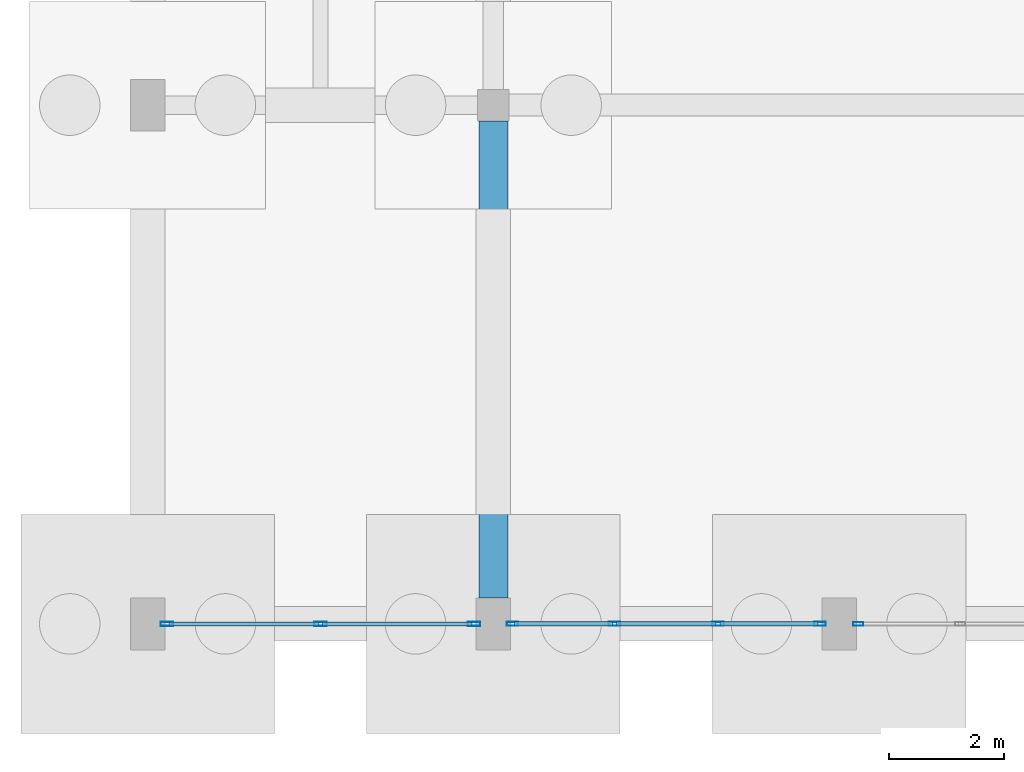
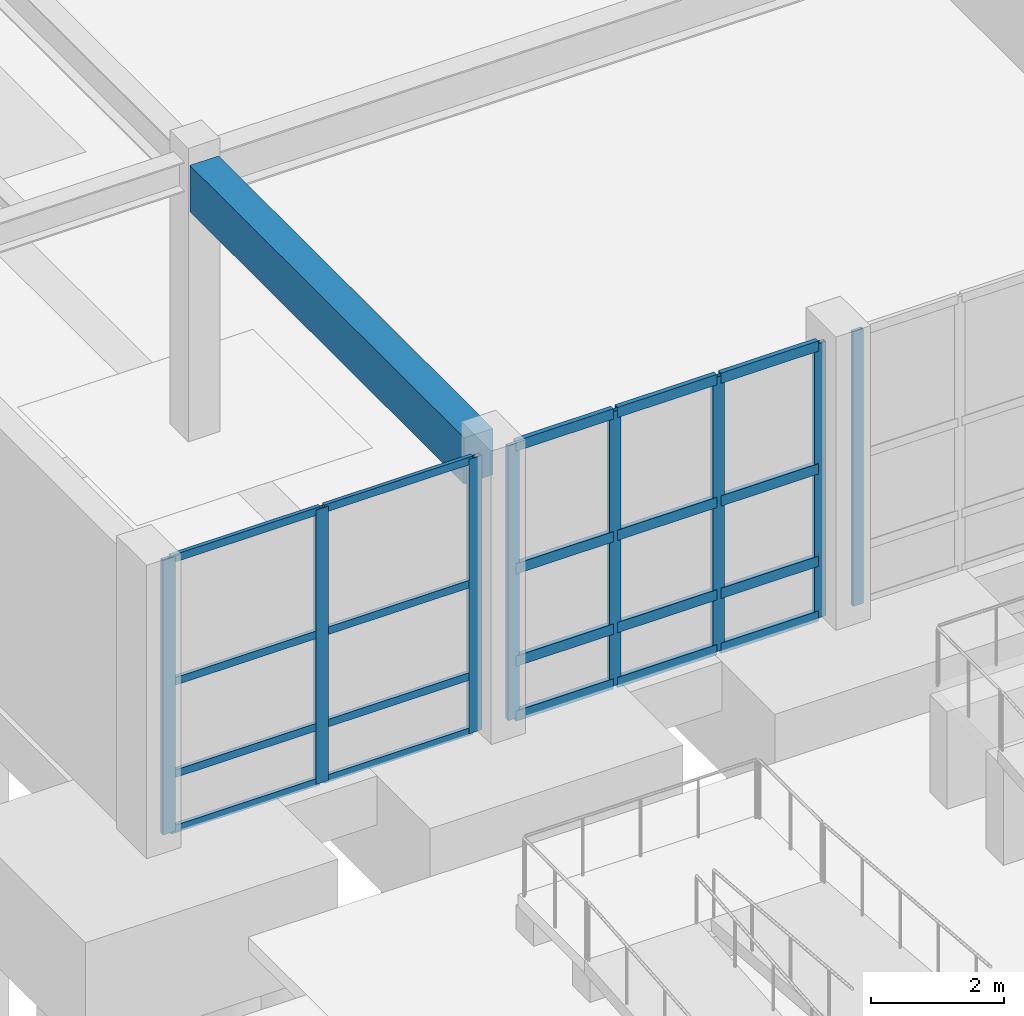
# One storey, part 21 of 69: 28 members, 1 beam, 3 elements without a shape of their own.
"""IFC4 building model written with IfcOpenShell, lengths in metres."""

import ifcopenshell
import ifcopenshell.guid

model = None  # the IFC model being written
_history = None  # IfcOwnerHistory: only IFC2X3 demands one
_inside = {}  # id of a spatial element -> (the spatial element, [elements in it])
_under = {}  # id of a project, library or spatial element -> (it, [spatial elements below it])
_declared = {}  # id of a project -> (the project, [libraries it declares])
_typed = {}  # id of a type object -> (the type object, [elements of that type])
_made_of = {}  # id of a material, layer set ... -> (it, [elements and type objects made of it])


def new_model(schema):
    """Start an empty IFC model of exactly this schema.

    Asked for "IFC4X3", IfcOpenShell would pick the latest addendum, in which some entities
    have other attributes; the version numbers below select the first issue.
    IFC2X3 requires an IfcOwnerHistory on every rooted entity: one is made here for all.
    """
    global model, _history
    if schema == "IFC4X3":
        model = ifcopenshell.file(schema_version=(4, 3, 0, 0))
    else:
        model = ifcopenshell.file(schema=schema)
    _inside.clear()
    _under.clear()
    _declared.clear()
    _typed.clear()
    _made_of.clear()
    _history = None
    if model.schema == "IFC2X3":
        org = make("IfcOrganization", Name="unknown")
        user = make(
            "IfcPersonAndOrganization",
            ThePerson=make("IfcPerson", FamilyName="unknown"),
            TheOrganization=org,
        )
        app = make(
            "IfcApplication",
            ApplicationDeveloper=org,
            Version="unknown",
            ApplicationFullName="unknown",
            ApplicationIdentifier="unknown",
        )
        _history = make(
            "IfcOwnerHistory",
            OwningUser=user,
            OwningApplication=app,
            ChangeAction="ADDED",
            CreationDate=0,
        )
    return model


def make(cls, **values):
    """One entity of the class cls with the attributes given. An attribute that is None is left unset."""
    return model.create_entity(
        cls, **{name: value for name, value in values.items() if value is not None}
    )


def rooted(cls, **values):
    """An entity with a GlobalId (a new one), such as an element, a storey or a relation."""
    return make(cls, GlobalId=ifcopenshell.guid.new(), OwnerHistory=_history, **values)


def si_unit(unit_type, name, prefix=None):
    """IfcSIUnit, for example si_unit("LENGTHUNIT", "METRE", prefix="MILLI")."""
    return make("IfcSIUnit", UnitType=unit_type, Prefix=prefix, Name=name)


def assignment(units):
    """IfcUnitAssignment: the units of a project."""
    return None if units is None else make("IfcUnitAssignment", Units=units)


def point(xyz):
    """IfcCartesianPoint."""
    return None if xyz is None else make("IfcCartesianPoint", Coordinates=xyz)


def direction(xyz):
    """IfcDirection."""
    return None if xyz is None else make("IfcDirection", DirectionRatios=xyz)


def frame(location, z_axis=None, x_axis=None):
    """IfcAxis2Placement3D, a coordinate frame: its origin and axes. An axis left out is left unset."""
    return make(
        "IfcAxis2Placement3D",
        Location=point(location),
        Axis=direction(z_axis),
        RefDirection=direction(x_axis),
    )


def frame_2d(location, x_axis=None):
    """IfcAxis2Placement2D, a coordinate frame in the plane: its origin and x axis."""
    return make(
        "IfcAxis2Placement2D", Location=point(location), RefDirection=direction(x_axis)
    )


def origin():
    """The frame at (0, 0, 0) with its axes left unset."""
    return frame((0.0, 0.0, 0.0))


def origin_2d():
    """The frame at (0, 0) in the plane with its x axis left unset."""
    return frame_2d((0.0, 0.0))


def place(relative_to, where):
    """IfcLocalPlacement: puts the frame where relative to a parent placement (None: the world)."""
    return make(
        "IfcLocalPlacement", PlacementRelTo=relative_to, RelativePlacement=where
    )


def context(
    kind, dimensions, precision=None, world=None, true_north=None, identifier=None
):
    """IfcGeometricRepresentationContext, for example the 3D "Model" context."""
    return make(
        "IfcGeometricRepresentationContext",
        ContextIdentifier=identifier,
        ContextType=kind,
        CoordinateSpaceDimension=dimensions,
        Precision=precision,
        WorldCoordinateSystem=world,
        TrueNorth=true_north,
    )


def subcontext(parent, identifier, kind, view, scale=None):
    """IfcGeometricRepresentationSubContext, for example "Body" below "Model"."""
    return make(
        "IfcGeometricRepresentationSubContext",
        ContextIdentifier=identifier,
        ContextType=kind,
        ParentContext=parent,
        TargetScale=scale,
        TargetView=view,
    )


def project(units=None, contexts=None):
    """IfcProject with its units and contexts."""
    return rooted(
        "IfcProject",
        Name="project",
        RepresentationContexts=contexts,
        UnitsInContext=assignment(units),
    )


def spatial(cls, under=None, at=None, **own):
    """A site, building, storey or space (cls), placed at a placement, below another one or the project."""
    s = rooted(cls, ObjectPlacement=at, **own)
    if under is not None:
        _under.setdefault(under.id(), (under, []))[1].append(s)
    return s


def profile(cls, at=None, kind="AREA", **sizes):
    """A parametric profile (cls). Its sizes go by their IFC names, for example OverallWidth=200.0."""
    return make(cls, ProfileType=kind, Position=at, **sizes)


def rectangle(**sizes):
    """IfcRectangleProfileDef."""
    return profile("IfcRectangleProfileDef", **sizes)


def hollow_rectangle(**sizes):
    """IfcRectangleHollowProfileDef."""
    return profile("IfcRectangleHollowProfileDef", **sizes)


def extrude(swept, where, along, depth):
    """IfcExtrudedAreaSolid: the profile swept, set in the frame where, extruded along a direction by depth."""
    return make(
        "IfcExtrudedAreaSolid",
        SweptArea=swept,
        Position=where,
        ExtrudedDirection=direction(along),
        Depth=depth,
    )


def shape(context_of_items, identifier, shape_type, items):
    """IfcShapeRepresentation: the items that make up one representation, for example the "Body"."""
    return make(
        "IfcShapeRepresentation",
        ContextOfItems=context_of_items,
        RepresentationIdentifier=identifier,
        RepresentationType=shape_type,
        Items=items,
    )


def material(Name=None, Category=None):
    """IfcMaterial."""
    return make("IfcMaterial", Name=Name, Category=Category)


def layer(
    of_material, thickness, ventilated=None, Name=None, Category=None, Priority=None
):
    """IfcMaterialLayer: one layer of a wall or slab, of a material (None: an air gap)."""
    return make(
        "IfcMaterialLayer",
        Material=of_material,
        LayerThickness=thickness,
        IsVentilated=ventilated,
        Name=Name,
        Category=Category,
        Priority=Priority,
    )


def layer_set(layers, Name=None):
    """IfcMaterialLayerSet."""
    return make("IfcMaterialLayerSet", MaterialLayers=layers, LayerSetName=Name)


def material_profile(
    of_material, cross_section, Name=None, Category=None, Priority=None
):
    """IfcMaterialProfile: a cross section and its material."""
    return make(
        "IfcMaterialProfile",
        Name=Name,
        Material=of_material,
        Profile=cross_section,
        Priority=Priority,
        Category=Category,
    )


def profile_set(profiles, Name=None, composite=None):
    """IfcMaterialProfileSet."""
    return make(
        "IfcMaterialProfileSet",
        Name=Name,
        MaterialProfiles=profiles,
        CompositeProfile=composite,
    )


def made_of(thing, what):
    """Note that an element or type object is made of a material, layer set ...; save() writes the relation."""
    if what is not None:
        _made_of.setdefault(what.id(), (what, []))[1].append(thing)
    return thing


def type_object(cls, material=None, **own):
    """A type object (cls), such as IfcWallType, which elements share."""
    return made_of(rooted(cls, **own), material)


def element(
    cls,
    number,
    at=None,
    inside=None,
    cuts=None,
    type_object=None,
    material=None,
    context=None,
    identifier="Body",
    shape_type=None,
    held_by="IfcProductDefinitionShape",
    body=None,
    shapes=None,
    **own,
):
    """One element of the class cls, such as IfcWall. Its Tag is "e" and its number.

    at: its placement. inside: the storey or other place that contains it. cuts: it is an
    opening in that element (IfcRelVoidsElement). A single representation is given by context,
    identifier, shape_type and body (its items); several are given by shapes. held_by: the class
    of the entity that holds the representations. save() writes the other relations.
    """
    e = rooted(cls, Tag="e%d" % number, ObjectPlacement=at, **own)
    if body is not None:
        shapes = [shape(context, identifier, shape_type, body)]
    if shapes is not None:
        e.Representation = make(held_by, Representations=shapes)
    if inside is not None:
        _inside.setdefault(inside.id(), (inside, []))[1].append(e)
    if cuts is not None:
        rooted(
            "IfcRelVoidsElement", RelatingBuildingElement=cuts, RelatedOpeningElement=e
        )
    if type_object is not None:
        _typed.setdefault(type_object.id(), (type_object, []))[1].append(e)
    return made_of(e, material)


def aggregate(whole, parts):
    """IfcRelAggregates: a whole, such as a stair, and the parts it consists of."""
    return rooted("IfcRelAggregates", RelatingObject=whole, RelatedObjects=parts)


def save(model, path):
    """Write the relations noted so far, then the file.

    IfcRelAggregates (storeys below a building ...), IfcRelContainedInSpatialStructure (elements
    in a storey), IfcRelDefinesByType, IfcRelAssociatesMaterial and IfcRelDeclares: one each for
    every whole, place, type object, material and project.
    """
    for whole, parts in _under.values():
        aggregate(whole, parts)
    for where, things in _inside.values():
        rooted(
            "IfcRelContainedInSpatialStructure",
            RelatedElements=things,
            RelatingStructure=where,
        )
    for kind, things in _typed.values():
        rooted("IfcRelDefinesByType", RelatedObjects=things, RelatingType=kind)
    for what, things in _made_of.values():
        rooted("IfcRelAssociatesMaterial", RelatedObjects=things, RelatingMaterial=what)
    for by, libraries in _declared.values():
        rooted("IfcRelDeclares", RelatingContext=by, RelatedDefinitions=libraries)
    model.write(path)


model = new_model("IFC4")

# Units and contexts
model_context = context("Model", 3, precision=1e-05, world=origin(), true_north=direction((0.0, 1.0)))
body_context = subcontext(model_context, "Body", "Model", "MODEL_VIEW")
ifc_project = project(units=[si_unit("LENGTHUNIT", "METRE"), si_unit("AREAUNIT", "SQUARE_METRE"), si_unit("VOLUMEUNIT", "CUBIC_METRE"), si_unit("PLANEANGLEUNIT", "RADIAN"), si_unit("MASSUNIT", "GRAM", prefix="KILO")], contexts=[model_context])

# Site, building, storey
site_placement = place(None, origin())
site = spatial("IfcSite", under=ifc_project, at=site_placement, CompositionType="ELEMENT")
building_placement = place(site_placement, origin())
building = spatial("IfcBuilding", under=site, at=building_placement, Name="Vaelkrest Opera House", CompositionType="ELEMENT")
storey_placement = place(building_placement, frame((0.0, 0.0, -5.39990234375)))
storey = spatial("IfcBuildingStorey", under=building, at=storey_placement, Name="B1", CompositionType="ELEMENT", Elevation=-5.39990234375)

# Beam
ifc_material_1 = material(Name="Concrete C50/60", Category="concrete")
ifc_material_profile_1 = material_profile(ifc_material_1, rectangle(XDim=0.5, YDim=0.85009765625, at=origin_2d()), Name="RCB500X850")
ifc_profile_set_1 = profile_set([ifc_material_profile_1], Name="Concrete C50/60")
beam_type = type_object("IfcBeamType", Name="B03", PredefinedType="BEAM", material=ifc_profile_set_1)
beam_placement = place(storey_placement, frame((-69.60009765625, -16.35009765625, 4.65478515625), z_axis=(0.0, 1.0, 0.0), x_axis=(-1.0, 0.0, 0.0)))
element("IfcBeam", 1, at=beam_placement, inside=storey, type_object=beam_type, Name="Beam BM-V3-B1-1320", PredefinedType="BEAM", context=body_context, shape_type="SweptSolid", body=[
    extrude(rectangle(XDim=0.5, YDim=0.85009765625, at=origin_2d()), origin(), (0.0, 0.0, 1.0), 8.275146484375),
])

# Curtain wall, member
ifc_material_2 = material(Name="Dark bronze anodized aluminium", Category="aluminium")
ifc_layer_1 = layer(ifc_material_2, 0.219970703125)
ifc_layer_set_1 = layer_set([ifc_layer_1], Name="Dark bronze anodized aluminium")
curtain_wall_type_1 = type_object("IfcCurtainWallType", Name="CW05", PredefinedType="NOTDEFINED", material=ifc_layer_set_1)
curtain_wall_1_placement = place(storey_placement, origin())
curtain_wall_1 = element("IfcCurtainWall", 2, at=curtain_wall_1_placement, inside=storey, type_object=curtain_wall_type_1, Name="Curtain wall CW-B1-085", PredefinedType="NOTDEFINED")
ifc_material_profile_2 = material_profile(ifc_material_2, hollow_rectangle(XDim=0.06494140625, YDim=0.179931640625, WallThickness=0.00390625, at=origin_2d()), Name="CWM65X180")
ifc_profile_set_2 = profile_set([ifc_material_profile_2], Name="Dark bronze anodized aluminium")
member_type_1 = type_object("IfcMemberType", Name="CWM01", PredefinedType="MULLION", material=ifc_profile_set_2)
member_1_placement = place(storey_placement, frame((-63.26953125, -16.800048828125, 0.0), z_axis=(0.0, 0.0, 1.0), x_axis=(0.0, -1.0, 0.0)))
member_1 = element("IfcMember", 3, at=member_1_placement, type_object=member_type_1, Name="CW05 mullion 4", PredefinedType="MULLION", context=body_context, shape_type="SweptSolid", body=[
    extrude(hollow_rectangle(XDim=0.06494140625, YDim=0.179931640625, WallThickness=0.00390625, at=origin_2d()), origin(), (0.0, 0.0, 1.0), 5.0498046875),
])
aggregate(curtain_wall_1, [member_1])

# Curtain wall, members
ifc_layer_2 = layer(ifc_material_2, 0.22998046875)
ifc_layer_set_2 = layer_set([ifc_layer_2], Name="Dark bronze anodized aluminium")
curtain_wall_type_2 = type_object("IfcCurtainWallType", Name="CW06", PredefinedType="NOTDEFINED", material=ifc_layer_set_2)
curtain_wall_2_placement = place(storey_placement, origin())
curtain_wall_2 = element("IfcCurtainWall", 4, at=curtain_wall_2_placement, inside=storey, type_object=curtain_wall_type_2, Name="Curtain wall CW-B1-086", PredefinedType="NOTDEFINED")
ifc_material_profile_3 = material_profile(ifc_material_2, hollow_rectangle(XDim=0.070068359375, YDim=0.199951171875, WallThickness=0.004150390625, at=origin_2d()), Name="CWM70X200")
ifc_profile_set_3 = profile_set([ifc_material_profile_3], Name="Dark bronze anodized aluminium")
member_type_2 = type_object("IfcMemberType", Name="CWM02", PredefinedType="MULLION", material=ifc_profile_set_3)
member_2_placement = place(storey_placement, frame((-63.93310546875, -16.800048828125, 0.0), z_axis=(0.0, 0.0, 1.0), x_axis=(0.0, -1.0, 0.0)))
member_2 = element("IfcMember", 5, at=member_2_placement, type_object=member_type_2, Name="CW06 mullion 1", PredefinedType="MULLION", context=body_context, shape_type="SweptSolid", body=[
    extrude(hollow_rectangle(XDim=0.070068359375, YDim=0.199951171875, WallThickness=0.004150390625, at=origin_2d()), origin(), (0.0, 0.0, 1.0), 5.0498046875),
])
member_3_placement = place(storey_placement, frame((-65.69921875, -16.800048828125, 0.0), z_axis=(0.0, 0.0, 1.0), x_axis=(0.0, -1.0, 0.0)))
member_3 = element("IfcMember", 6, at=member_3_placement, type_object=member_type_2, Name="CW06 mullion 2", PredefinedType="MULLION", context=body_context, shape_type="SweptSolid", body=[
    extrude(hollow_rectangle(XDim=0.070068359375, YDim=0.199951171875, WallThickness=0.004150390625, at=origin_2d()), origin(), (0.0, 0.0, 1.0), 5.0498046875),
])
member_4_placement = place(storey_placement, frame((-67.500732421875, -16.800048828125, 0.0), z_axis=(0.0, 0.0, 1.0), x_axis=(0.0, -1.0, 0.0)))
member_4 = element("IfcMember", 7, at=member_4_placement, type_object=member_type_2, Name="CW06 mullion 3", PredefinedType="MULLION", context=body_context, shape_type="SweptSolid", body=[
    extrude(hollow_rectangle(XDim=0.070068359375, YDim=0.199951171875, WallThickness=0.004150390625, at=origin_2d()), origin(), (0.0, 0.0, 1.0), 5.0498046875),
])
member_5_placement = place(storey_placement, frame((-69.26708984375, -16.800048828125, 0.0), z_axis=(0.0, 0.0, 1.0), x_axis=(0.0, -1.0, 0.0)))
member_5 = element("IfcMember", 8, at=member_5_placement, type_object=member_type_2, Name="CW06 mullion 4", PredefinedType="MULLION", context=body_context, shape_type="SweptSolid", body=[
    extrude(hollow_rectangle(XDim=0.070068359375, YDim=0.199951171875, WallThickness=0.004150390625, at=origin_2d()), origin(), (0.0, 0.0, 1.0), 5.0498046875),
])

ifc_layer_3 = layer(ifc_material_2, 0.239990234375)
ifc_layer_set_3 = layer_set([ifc_layer_3], Name="Dark bronze anodized aluminium")
curtain_wall_type_3 = type_object("IfcCurtainWallType", Name="CW07", PredefinedType="NOTDEFINED", material=ifc_layer_set_3)
curtain_wall_3_placement = place(storey_placement, origin())
curtain_wall_3 = element("IfcCurtainWall", 9, at=curtain_wall_3_placement, inside=storey, type_object=curtain_wall_type_3, Name="Curtain wall CW-B1-087", PredefinedType="NOTDEFINED")
ifc_material_profile_4 = material_profile(ifc_material_2, hollow_rectangle(XDim=0.074951171875, YDim=0.219970703125, WallThickness=0.00439453125, at=origin_2d()), Name="CWM75X220")
ifc_profile_set_4 = profile_set([ifc_material_profile_4], Name="Dark bronze anodized aluminium")
member_type_3 = type_object("IfcMemberType", Name="CWM03", PredefinedType="MULLION", material=ifc_profile_set_4)
member_6_placement = place(storey_placement, frame((-69.935546875, -16.800048828125, 0.0), z_axis=(0.0, 0.0, 1.0), x_axis=(0.0, -1.0, 0.0)))
member_6 = element("IfcMember", 10, at=member_6_placement, type_object=member_type_3, Name="CW07 mullion 1", PredefinedType="MULLION", context=body_context, shape_type="SweptSolid", body=[
    extrude(hollow_rectangle(XDim=0.074951171875, YDim=0.219970703125, WallThickness=0.00439453125, at=origin_2d()), origin(), (0.0, 0.0, 1.0), 5.0498046875),
])
member_7_placement = place(storey_placement, frame((-72.60009765625, -16.800048828125, 0.0), z_axis=(0.0, 0.0, 1.0), x_axis=(0.0, -1.0, 0.0)))
member_7 = element("IfcMember", 11, at=member_7_placement, type_object=member_type_3, Name="CW07 mullion 2", PredefinedType="MULLION", context=body_context, shape_type="SweptSolid", body=[
    extrude(hollow_rectangle(XDim=0.074951171875, YDim=0.219970703125, WallThickness=0.00439453125, at=origin_2d()), origin(), (0.0, 0.0, 1.0), 5.0498046875),
])
member_8_placement = place(storey_placement, frame((-75.264404296875, -16.800048828125, 0.0), z_axis=(0.0, 0.0, 1.0), x_axis=(0.0, -1.0, 0.0)))
member_8 = element("IfcMember", 12, at=member_8_placement, type_object=member_type_3, Name="CW07 mullion 3", PredefinedType="MULLION", context=body_context, shape_type="SweptSolid", body=[
    extrude(hollow_rectangle(XDim=0.074951171875, YDim=0.219970703125, WallThickness=0.00439453125, at=origin_2d()), origin(), (0.0, 0.0, 1.0), 5.0498046875),
])
ifc_material_profile_5 = material_profile(ifc_material_2, hollow_rectangle(XDim=0.06494140625, YDim=0.139892578125, WallThickness=0.00390625, at=origin_2d()), Name="CWT65X140")
ifc_profile_set_5 = profile_set([ifc_material_profile_5], Name="Dark bronze anodized aluminium")
member_type_4 = type_object("IfcMemberType", Name="CWT01", PredefinedType="USERDEFINED", material=ifc_profile_set_5)
member_9_placement = place(storey_placement, frame((-69.972900390625, -16.800048828125, 0.032470703125), z_axis=(-1.0, 0.0, 0.0), x_axis=(0.0, -1.0, 0.0)))
member_9 = element("IfcMember", 13, at=member_9_placement, type_object=member_type_4, Name="CW07 transom 1.1", ObjectType="TRANSOM", PredefinedType="USERDEFINED", context=body_context, shape_type="SweptSolid", body=[
    extrude(hollow_rectangle(XDim=0.06494140625, YDim=0.139892578125, WallThickness=0.00390625, at=origin_2d()), origin(), (0.0, 0.0, 1.0), 2.589599609375),
])
member_10_placement = place(storey_placement, frame((-69.972900390625, -16.800048828125, 1.0498046875), z_axis=(-1.0, 0.0, 0.0), x_axis=(0.0, -1.0, 0.0)))
member_10 = element("IfcMember", 14, at=member_10_placement, type_object=member_type_4, Name="CW07 transom 1.2", ObjectType="TRANSOM", PredefinedType="USERDEFINED", context=body_context, shape_type="SweptSolid", body=[
    extrude(hollow_rectangle(XDim=0.06494140625, YDim=0.139892578125, WallThickness=0.00390625, at=origin_2d()), origin(), (0.0, 0.0, 1.0), 2.589599609375),
])
member_11_placement = place(storey_placement, frame((-69.972900390625, -16.800048828125, 2.75), z_axis=(-1.0, 0.0, 0.0), x_axis=(0.0, -1.0, 0.0)))
member_11 = element("IfcMember", 15, at=member_11_placement, type_object=member_type_4, Name="CW07 transom 1.3", ObjectType="TRANSOM", PredefinedType="USERDEFINED", context=body_context, shape_type="SweptSolid", body=[
    extrude(hollow_rectangle(XDim=0.06494140625, YDim=0.139892578125, WallThickness=0.00390625, at=origin_2d()), origin(), (0.0, 0.0, 1.0), 2.589599609375),
])
member_12_placement = place(storey_placement, frame((-69.972900390625, -16.800048828125, 5.017333984375), z_axis=(-1.0, 0.0, 0.0), x_axis=(0.0, -1.0, 0.0)))
member_12 = element("IfcMember", 16, at=member_12_placement, type_object=member_type_4, Name="CW07 transom 1.4", ObjectType="TRANSOM", PredefinedType="USERDEFINED", context=body_context, shape_type="SweptSolid", body=[
    extrude(hollow_rectangle(XDim=0.06494140625, YDim=0.139892578125, WallThickness=0.00390625, at=origin_2d()), origin(), (0.0, 0.0, 1.0), 2.589599609375),
])
member_13_placement = place(storey_placement, frame((-72.637451171875, -16.800048828125, 0.032470703125), z_axis=(-1.0, 0.0, 0.0), x_axis=(0.0, -1.0, 0.0)))
member_13 = element("IfcMember", 17, at=member_13_placement, type_object=member_type_4, Name="CW07 transom 2.1", ObjectType="TRANSOM", PredefinedType="USERDEFINED", context=body_context, shape_type="SweptSolid", body=[
    extrude(hollow_rectangle(XDim=0.06494140625, YDim=0.139892578125, WallThickness=0.00390625, at=origin_2d()), origin(), (0.0, 0.0, 1.0), 2.589599609375),
])
member_14_placement = place(storey_placement, frame((-72.637451171875, -16.800048828125, 1.0498046875), z_axis=(-1.0, 0.0, 0.0), x_axis=(0.0, -1.0, 0.0)))
member_14 = element("IfcMember", 18, at=member_14_placement, type_object=member_type_4, Name="CW07 transom 2.2", ObjectType="TRANSOM", PredefinedType="USERDEFINED", context=body_context, shape_type="SweptSolid", body=[
    extrude(hollow_rectangle(XDim=0.06494140625, YDim=0.139892578125, WallThickness=0.00390625, at=origin_2d()), origin(), (0.0, 0.0, 1.0), 2.589599609375),
])
member_15_placement = place(storey_placement, frame((-72.637451171875, -16.800048828125, 2.75), z_axis=(-1.0, 0.0, 0.0), x_axis=(0.0, -1.0, 0.0)))
member_15 = element("IfcMember", 19, at=member_15_placement, type_object=member_type_4, Name="CW07 transom 2.3", ObjectType="TRANSOM", PredefinedType="USERDEFINED", context=body_context, shape_type="SweptSolid", body=[
    extrude(hollow_rectangle(XDim=0.06494140625, YDim=0.139892578125, WallThickness=0.00390625, at=origin_2d()), origin(), (0.0, 0.0, 1.0), 2.589599609375),
])
member_16_placement = place(storey_placement, frame((-72.637451171875, -16.800048828125, 5.017333984375), z_axis=(-1.0, 0.0, 0.0), x_axis=(0.0, -1.0, 0.0)))
member_16 = element("IfcMember", 20, at=member_16_placement, type_object=member_type_4, Name="CW07 transom 2.4", ObjectType="TRANSOM", PredefinedType="USERDEFINED", context=body_context, shape_type="SweptSolid", body=[
    extrude(hollow_rectangle(XDim=0.06494140625, YDim=0.139892578125, WallThickness=0.00390625, at=origin_2d()), origin(), (0.0, 0.0, 1.0), 2.589599609375),
])
aggregate(curtain_wall_3, [member_6, member_7, member_8, member_9, member_10, member_11, member_12, member_13, member_14, member_15, member_16])

# Member
ifc_material_profile_6 = material_profile(ifc_material_2, hollow_rectangle(XDim=0.080078125, YDim=0.18994140625, WallThickness=0.0048828125, at=origin_2d()), Name="CWT80X190")
ifc_profile_set_6 = profile_set([ifc_material_profile_6], Name="Dark bronze anodized aluminium")
member_type_5 = type_object("IfcMemberType", Name="CWT04", PredefinedType="USERDEFINED", material=ifc_profile_set_6)
member_17_placement = place(storey_placement, frame((-63.968017578125, -16.800048828125, 0.039794921875), z_axis=(-1.0, 0.0, 0.0), x_axis=(0.0, -1.0, 0.0)))
member_17 = element("IfcMember", 21, at=member_17_placement, type_object=member_type_5, Name="CW06 transom 1.1", ObjectType="TRANSOM", PredefinedType="USERDEFINED", context=body_context, shape_type="SweptSolid", body=[
    extrude(hollow_rectangle(XDim=0.080078125, YDim=0.18994140625, WallThickness=0.0048828125, at=origin_2d()), origin(), (0.0, 0.0, 1.0), 1.6962890625),
])

member_18_placement = place(storey_placement, frame((-63.968017578125, -16.800048828125, 1.0498046875), z_axis=(-1.0, 0.0, 0.0), x_axis=(0.0, -1.0, 0.0)))
member_18 = element("IfcMember", 22, at=member_18_placement, type_object=member_type_5, Name="CW06 transom 1.2", ObjectType="TRANSOM", PredefinedType="USERDEFINED", context=body_context, shape_type="SweptSolid", body=[
    extrude(hollow_rectangle(XDim=0.080078125, YDim=0.18994140625, WallThickness=0.0048828125, at=origin_2d()), origin(), (0.0, 0.0, 1.0), 1.6962890625),
])

member_19_placement = place(storey_placement, frame((-63.968017578125, -16.800048828125, 2.75), z_axis=(-1.0, 0.0, 0.0), x_axis=(0.0, -1.0, 0.0)))
member_19 = element("IfcMember", 23, at=member_19_placement, type_object=member_type_5, Name="CW06 transom 1.3", ObjectType="TRANSOM", PredefinedType="USERDEFINED", context=body_context, shape_type="SweptSolid", body=[
    extrude(hollow_rectangle(XDim=0.080078125, YDim=0.18994140625, WallThickness=0.0048828125, at=origin_2d()), origin(), (0.0, 0.0, 1.0), 1.6962890625),
])

member_20_placement = place(storey_placement, frame((-63.968017578125, -16.800048828125, 5.010009765625), z_axis=(-1.0, 0.0, 0.0), x_axis=(0.0, -1.0, 0.0)))
member_20 = element("IfcMember", 24, at=member_20_placement, type_object=member_type_5, Name="CW06 transom 1.4", ObjectType="TRANSOM", PredefinedType="USERDEFINED", context=body_context, shape_type="SweptSolid", body=[
    extrude(hollow_rectangle(XDim=0.080078125, YDim=0.18994140625, WallThickness=0.0048828125, at=origin_2d()), origin(), (0.0, 0.0, 1.0), 1.6962890625),
])

member_21_placement = place(storey_placement, frame((-65.734375, -16.800048828125, 0.039794921875), z_axis=(-1.0, 0.0, 0.0), x_axis=(0.0, -1.0, 0.0)))
member_21 = element("IfcMember", 25, at=member_21_placement, type_object=member_type_5, Name="CW06 transom 2.1", ObjectType="TRANSOM", PredefinedType="USERDEFINED", context=body_context, shape_type="SweptSolid", body=[
    extrude(hollow_rectangle(XDim=0.080078125, YDim=0.18994140625, WallThickness=0.0048828125, at=origin_2d()), origin(), (0.0, 0.0, 1.0), 1.731201171875),
])

member_22_placement = place(storey_placement, frame((-65.734375, -16.800048828125, 1.0498046875), z_axis=(-1.0, 0.0, 0.0), x_axis=(0.0, -1.0, 0.0)))
member_22 = element("IfcMember", 26, at=member_22_placement, type_object=member_type_5, Name="CW06 transom 2.2", ObjectType="TRANSOM", PredefinedType="USERDEFINED", context=body_context, shape_type="SweptSolid", body=[
    extrude(hollow_rectangle(XDim=0.080078125, YDim=0.18994140625, WallThickness=0.0048828125, at=origin_2d()), origin(), (0.0, 0.0, 1.0), 1.731201171875),
])

member_23_placement = place(storey_placement, frame((-65.734375, -16.800048828125, 2.75), z_axis=(-1.0, 0.0, 0.0), x_axis=(0.0, -1.0, 0.0)))
member_23 = element("IfcMember", 27, at=member_23_placement, type_object=member_type_5, Name="CW06 transom 2.3", ObjectType="TRANSOM", PredefinedType="USERDEFINED", context=body_context, shape_type="SweptSolid", body=[
    extrude(hollow_rectangle(XDim=0.080078125, YDim=0.18994140625, WallThickness=0.0048828125, at=origin_2d()), origin(), (0.0, 0.0, 1.0), 1.731201171875),
])

member_24_placement = place(storey_placement, frame((-65.734375, -16.800048828125, 5.010009765625), z_axis=(-1.0, 0.0, 0.0), x_axis=(0.0, -1.0, 0.0)))
member_24 = element("IfcMember", 28, at=member_24_placement, type_object=member_type_5, Name="CW06 transom 2.4", ObjectType="TRANSOM", PredefinedType="USERDEFINED", context=body_context, shape_type="SweptSolid", body=[
    extrude(hollow_rectangle(XDim=0.080078125, YDim=0.18994140625, WallThickness=0.0048828125, at=origin_2d()), origin(), (0.0, 0.0, 1.0), 1.731201171875),
])

member_25_placement = place(storey_placement, frame((-67.53564453125, -16.800048828125, 0.039794921875), z_axis=(-1.0, 0.0, 0.0), x_axis=(0.0, -1.0, 0.0)))
member_25 = element("IfcMember", 29, at=member_25_placement, type_object=member_type_5, Name="CW06 transom 3.1", ObjectType="TRANSOM", PredefinedType="USERDEFINED", context=body_context, shape_type="SweptSolid", body=[
    extrude(hollow_rectangle(XDim=0.080078125, YDim=0.18994140625, WallThickness=0.0048828125, at=origin_2d()), origin(), (0.0, 0.0, 1.0), 1.6962890625),
])

member_26_placement = place(storey_placement, frame((-67.53564453125, -16.800048828125, 1.0498046875), z_axis=(-1.0, 0.0, 0.0), x_axis=(0.0, -1.0, 0.0)))
member_26 = element("IfcMember", 30, at=member_26_placement, type_object=member_type_5, Name="CW06 transom 3.2", ObjectType="TRANSOM", PredefinedType="USERDEFINED", context=body_context, shape_type="SweptSolid", body=[
    extrude(hollow_rectangle(XDim=0.080078125, YDim=0.18994140625, WallThickness=0.0048828125, at=origin_2d()), origin(), (0.0, 0.0, 1.0), 1.6962890625),
])

member_27_placement = place(storey_placement, frame((-67.53564453125, -16.800048828125, 2.75), z_axis=(-1.0, 0.0, 0.0), x_axis=(0.0, -1.0, 0.0)))
member_27 = element("IfcMember", 31, at=member_27_placement, type_object=member_type_5, Name="CW06 transom 3.3", ObjectType="TRANSOM", PredefinedType="USERDEFINED", context=body_context, shape_type="SweptSolid", body=[
    extrude(hollow_rectangle(XDim=0.080078125, YDim=0.18994140625, WallThickness=0.0048828125, at=origin_2d()), origin(), (0.0, 0.0, 1.0), 1.6962890625),
])

member_28_placement = place(storey_placement, frame((-67.53564453125, -16.800048828125, 5.010009765625), z_axis=(-1.0, 0.0, 0.0), x_axis=(0.0, -1.0, 0.0)))
member_28 = element("IfcMember", 32, at=member_28_placement, type_object=member_type_5, Name="CW06 transom 3.4", ObjectType="TRANSOM", PredefinedType="USERDEFINED", context=body_context, shape_type="SweptSolid", body=[
    extrude(hollow_rectangle(XDim=0.080078125, YDim=0.18994140625, WallThickness=0.0048828125, at=origin_2d()), origin(), (0.0, 0.0, 1.0), 1.6962890625),
])

aggregate(curtain_wall_2, [member_2, member_3, member_4, member_5, member_17, member_18, member_19, member_20, member_21, member_22, member_23, member_24, member_25, member_26, member_27, member_28])

save(model, "model.ifc")
